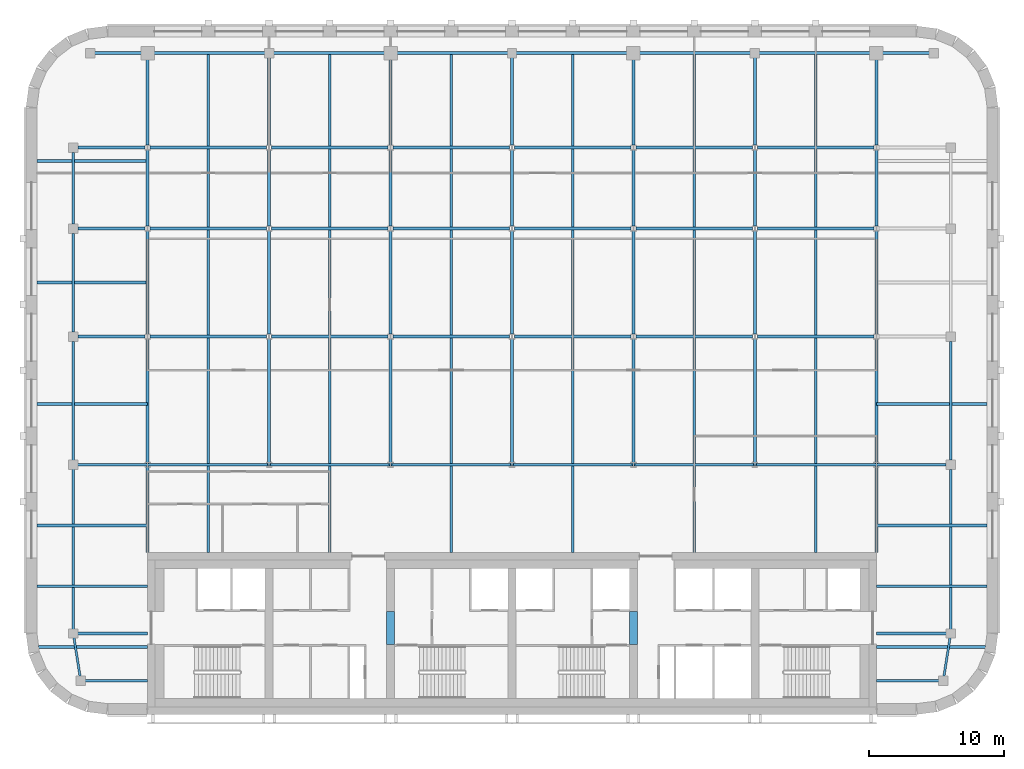
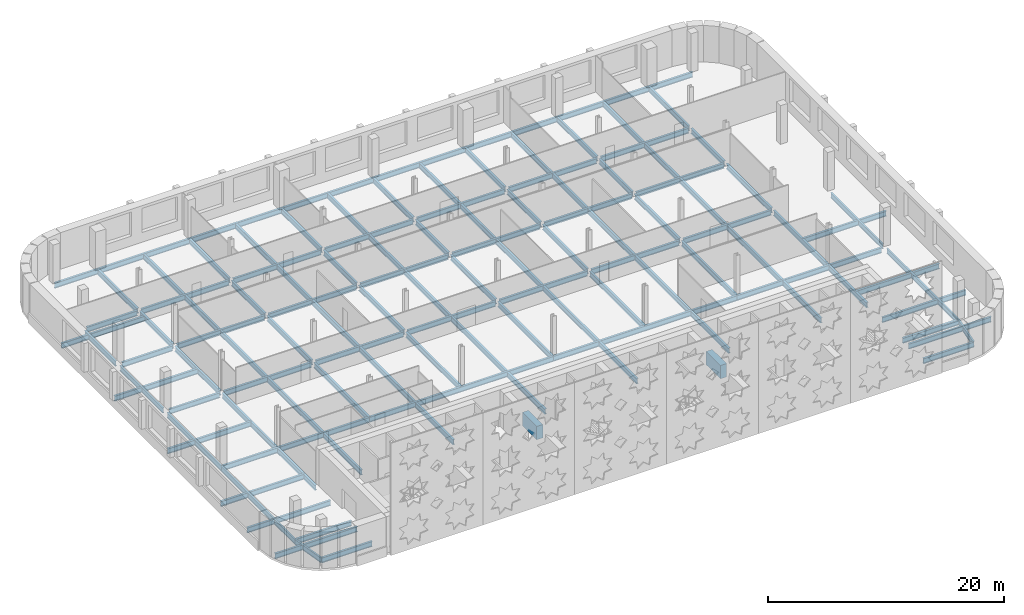
# One storey, part 5 of 15: 87 beams.
"""IFC4 building model written with IfcOpenShell, lengths in metres."""

from ifc_helpers import new_model, si_unit, direction, frame, origin, origin_2d, place, context, subcontext, project, spatial, rectangle, i_section, extrude, material, material_profile, profile_set, type_object, element, save


model = new_model("IFC4")

# Units and contexts
model_context = context("Model", 3, precision=1e-05, world=origin(), true_north=direction((0.0, 1.0)))
body_context = subcontext(model_context, "Body", "Model", "MODEL_VIEW")
ifc_project = project(units=[si_unit("LENGTHUNIT", "METRE"), si_unit("AREAUNIT", "SQUARE_METRE"), si_unit("VOLUMEUNIT", "CUBIC_METRE"), si_unit("PLANEANGLEUNIT", "RADIAN"), si_unit("MASSUNIT", "GRAM", prefix="KILO")], contexts=[model_context])

# Site, building, storey
site_placement = place(None, origin())
site = spatial("IfcSite", under=ifc_project, at=site_placement, CompositionType="ELEMENT")
building_placement = place(site_placement, origin())
building = spatial("IfcBuilding", under=site, at=building_placement, Name="Zellij Exchange Tower", CompositionType="ELEMENT")
storey_placement = place(building_placement, frame((0.0, 0.0, 276.5)))
storey = spatial("IfcBuildingStorey", under=building, at=storey_placement, Name="L65", CompositionType="ELEMENT", Elevation=276.5)

# Beams
ifc_material_1 = material(Name="Concrete C50/60", Category="concrete")
ifc_material_profile_1 = material_profile(ifc_material_1, rectangle(XDim=0.60009765625, YDim=1.3798828125, at=origin_2d()), Name="CORE-CB 600x1380 C50/60")
ifc_profile_set_1 = profile_set([ifc_material_profile_1], Name="Concrete C50/60")
beam_type_1 = type_object("IfcBeamType", Name="CORE-CB 600x1380 C50/60", PredefinedType="BEAM", material=ifc_profile_set_1)
for number, where, z_axis, x_axis, name in (
    (1, (-9.0, -8.800048828125, 3.090087890625), (0.0, 1.0, 0.0), (-1.0, 0.0, 0.0), "Core coupling beam x -9 L65"),
    (2, (9.0, -8.800048828125, 3.090087890625), (0.0, 1.0, 0.0), (-1.0, 0.0, 0.0), "Core coupling beam x 9 L65"),
):
    element("IfcBeam", number, at=place(storey_placement, frame(where, z_axis=z_axis, x_axis=x_axis)), inside=storey, type_object=beam_type_1, Name=name, PredefinedType="BEAM", context=body_context, shape_type="SweptSolid", body=[
        extrude(rectangle(XDim=0.60009765625, YDim=1.3798828125, at=origin_2d()), origin(), (0.0, 0.0, 1.0), 2.425048828125),
    ])
ifc_material_2 = material(Name="Structural steel ASTM A992 Gr 50", Category="steel")
ifc_material_profile_2 = material_profile(ifc_material_2, i_section(OverallWidth=0.209228515625, OverallDepth=0.533447265625, WebThickness=0.01025390625, FlangeThickness=0.015625, at=origin_2d()), Name="W21x62")
ifc_profile_set_2 = profile_set([ifc_material_profile_2], Name="Structural steel ASTM A992 Gr 50")
beam_type_2 = type_object("IfcBeamType", Name="STR-BEAM W21x62", PredefinedType="BEAM", material=ifc_profile_set_2)
for number, where, z_axis, x_axis, name in (
    (3, (-22.5, -2.0, -0.48681640625), (0.0, 1.0, 0.0), (-1.0, 0.0, 0.0), "B3"),
    (4, (-13.5, -2.0, -0.48681640625), (0.0, 1.0, 0.0), (-1.0, 0.0, 0.0), "B3"),
    (5, (-4.5, -2.0, -0.48681640625), (0.0, 1.0, 0.0), (-1.0, 0.0, 0.0), "B3"),
    (6, (4.5, -2.0, -0.48681640625), (0.0, 1.0, 0.0), (-1.0, 0.0, 0.0), "B3"),
    (7, (13.5, -2.0, -0.48681640625), (0.0, 1.0, 0.0), (-1.0, 0.0, 0.0), "B3"),
    (8, (22.5, -2.0, -0.48681640625), (0.0, 1.0, 0.0), (-1.0, 0.0, 0.0), "B3"),
):
    element("IfcBeam", number, at=place(storey_placement, frame(where, z_axis=z_axis, x_axis=x_axis)), inside=storey, type_object=beam_type_2, Name=name, PredefinedType="BEAM", context=body_context, shape_type="SweptSolid", body=[
        extrude(i_section(OverallWidth=0.209228515625, OverallDepth=0.533447265625, WebThickness=0.01025390625, FlangeThickness=0.015625, at=origin_2d()), origin(), (0.0, 0.0, 1.0), 37.1044921875),
    ])
beam_1_placement = place(storey_placement, frame((-35.06103515625, -9.0, -0.48681640625), z_axis=(1.0, 0.0, 0.0), x_axis=(0.0, 1.0, 0.0)))
element("IfcBeam", 9, at=beam_1_placement, inside=storey, type_object=beam_type_2, Name="B3", PredefinedType="BEAM", context=body_context, shape_type="SweptSolid", body=[
    extrude(i_section(OverallWidth=0.209228515625, OverallDepth=0.533447265625, WebThickness=0.01025390625, FlangeThickness=0.015625, at=origin_2d()), origin(), (0.0, 0.0, 1.0), 8.06103515625),
])
for number, where, z_axis, x_axis, name in (
    (10, (-35.199951171875, -4.5, -0.48681640625), (1.0, 0.0, 0.0), (0.0, 1.0, 0.0), "B3"),
    (11, (-35.199951171875, 0.0, -0.48681640625), (1.0, 0.0, 0.0), (0.0, 1.0, 0.0), "B3"),
    (12, (-35.199951171875, 9.0, -0.48681640625), (1.0, 0.0, 0.0), (0.0, 1.0, 0.0), "B3"),
    (13, (-35.199951171875, 18.0, -0.48681640625), (1.0, 0.0, 0.0), (0.0, 1.0, 0.0), "B3"),
    (14, (-35.199951171875, 27.0, -0.48681640625), (1.0, 0.0, 0.0), (0.0, 1.0, 0.0), "B3"),
):
    element("IfcBeam", number, at=place(storey_placement, frame(where, z_axis=z_axis, x_axis=x_axis)), inside=storey, type_object=beam_type_2, Name=name, PredefinedType="BEAM", context=body_context, shape_type="SweptSolid", body=[
        extrude(i_section(OverallWidth=0.209228515625, OverallDepth=0.533447265625, WebThickness=0.01025390625, FlangeThickness=0.015625, at=origin_2d()), origin(), (0.0, 0.0, 1.0), 8.199951171875),
    ])
beam_2_placement = place(storey_placement, frame((27.0, -9.0, -0.48681640625), z_axis=(1.0, 0.0, 0.0), x_axis=(0.0, 1.0, 0.0)))
element("IfcBeam", 15, at=beam_2_placement, inside=storey, type_object=beam_type_2, Name="B3", PredefinedType="BEAM", context=body_context, shape_type="SweptSolid", body=[
    extrude(i_section(OverallWidth=0.209228515625, OverallDepth=0.533447265625, WebThickness=0.01025390625, FlangeThickness=0.015625, at=origin_2d()), origin(), (0.0, 0.0, 1.0), 8.06103515625),
])
for number, where, z_axis, x_axis, name in (
    (16, (27.0, -4.5, -0.48681640625), (1.0, 0.0, 0.0), (0.0, 1.0, 0.0), "B3"),
    (17, (27.0, 0.0, -0.48681640625), (1.0, 0.0, 0.0), (0.0, 1.0, 0.0), "B3"),
    (18, (27.0, 9.0, -0.48681640625), (1.0, 0.0, 0.0), (0.0, 1.0, 0.0), "B3"),
):
    element("IfcBeam", number, at=place(storey_placement, frame(where, z_axis=z_axis, x_axis=x_axis)), inside=storey, type_object=beam_type_2, Name=name, PredefinedType="BEAM", context=body_context, shape_type="SweptSolid", body=[
        extrude(i_section(OverallWidth=0.209228515625, OverallDepth=0.533447265625, WebThickness=0.01025390625, FlangeThickness=0.015625, at=origin_2d()), origin(), (0.0, 0.0, 1.0), 8.199951171875),
    ])
ifc_material_profile_3 = material_profile(ifc_material_2, i_section(OverallWidth=0.1650390625, OverallDepth=0.52587890625, WebThickness=0.0087890625, FlangeThickness=0.011474609375, at=origin_2d()), Name="W21x44")
ifc_profile_set_3 = profile_set([ifc_material_profile_3], Name="Structural steel ASTM A992 Gr 50")
beam_type_3 = type_object("IfcBeamType", Name="STR-EDGE GIRDER W21x44", PredefinedType="BEAM", material=ifc_profile_set_3)
beam_3_placement = place(storey_placement, frame((-31.949951171875, -11.5, -0.48291015625), z_axis=(-0.155251283593, 0.987875011802, 0.0), x_axis=(-0.987875011802, -0.155251283593, 0.0)))
element("IfcBeam", 19, at=beam_3_placement, inside=storey, type_object=beam_type_3, Name="EB2", PredefinedType="BEAM", context=body_context, shape_type="SweptSolid", body=[
    extrude(i_section(OverallWidth=0.1650390625, OverallDepth=0.52587890625, WebThickness=0.0087890625, FlangeThickness=0.011474609375, at=origin_2d()), origin(), (0.0, 0.0, 1.0), 3.54296875),
])
beam_4_placement = place(storey_placement, frame((-32.5, -8.0, -0.48291015625), z_axis=(0.0, 1.0, 0.0), x_axis=(-1.0, 0.0, 0.0)))
element("IfcBeam", 20, at=beam_4_placement, inside=storey, type_object=beam_type_3, Name="EB2", PredefinedType="BEAM", context=body_context, shape_type="SweptSolid", body=[
    extrude(i_section(OverallWidth=0.1650390625, OverallDepth=0.52587890625, WebThickness=0.0087890625, FlangeThickness=0.011474609375, at=origin_2d()), origin(), (0.0, 0.0, 1.0), 12.5),
])
beam_5_placement = place(storey_placement, frame((-32.5, 4.5, -0.48291015625), z_axis=(0.0, 1.0, 0.0), x_axis=(-1.0, 0.0, 0.0)))
element("IfcBeam", 21, at=beam_5_placement, inside=storey, type_object=beam_type_3, Name="EB2", PredefinedType="BEAM", context=body_context, shape_type="SweptSolid", body=[
    extrude(i_section(OverallWidth=0.1650390625, OverallDepth=0.52587890625, WebThickness=0.0087890625, FlangeThickness=0.011474609375, at=origin_2d()), origin(), (0.0, 0.0, 1.0), 9.14990234375),
])
beam_6_placement = place(storey_placement, frame((-32.5, 14.35009765625, -0.48291015625), z_axis=(0.0, 1.0, 0.0), x_axis=(-1.0, 0.0, 0.0)))
element("IfcBeam", 22, at=beam_6_placement, inside=storey, type_object=beam_type_3, Name="EB2", PredefinedType="BEAM", context=body_context, shape_type="SweptSolid", body=[
    extrude(i_section(OverallWidth=0.1650390625, OverallDepth=0.52587890625, WebThickness=0.0087890625, FlangeThickness=0.011474609375, at=origin_2d()), origin(), (0.0, 0.0, 1.0), 7.2998046875),
])
beam_7_placement = place(storey_placement, frame((-32.5, 22.35009765625, -0.48291015625), z_axis=(0.0, 1.0, 0.0), x_axis=(-1.0, 0.0, 0.0)))
element("IfcBeam", 23, at=beam_7_placement, inside=storey, type_object=beam_type_3, Name="EB2", PredefinedType="BEAM", context=body_context, shape_type="SweptSolid", body=[
    extrude(i_section(OverallWidth=0.1650390625, OverallDepth=0.52587890625, WebThickness=0.0087890625, FlangeThickness=0.011474609375, at=origin_2d()), origin(), (0.0, 0.0, 1.0), 5.2998046875),
])
beam_8_placement = place(storey_placement, frame((31.949951171875, -11.5, -0.48291015625), z_axis=(0.155251283593, 0.987875011802, 0.0), x_axis=(-0.987875011802, 0.155251283593, 0.0)))
element("IfcBeam", 24, at=beam_8_placement, inside=storey, type_object=beam_type_3, Name="EB2", PredefinedType="BEAM", context=body_context, shape_type="SweptSolid", body=[
    extrude(i_section(OverallWidth=0.1650390625, OverallDepth=0.52587890625, WebThickness=0.0087890625, FlangeThickness=0.011474609375, at=origin_2d()), origin(), (0.0, 0.0, 1.0), 3.54296875),
])
beam_9_placement = place(storey_placement, frame((32.5, -8.0, -0.48291015625), z_axis=(0.0, 1.0, 0.0), x_axis=(-1.0, 0.0, 0.0)))
element("IfcBeam", 25, at=beam_9_placement, inside=storey, type_object=beam_type_3, Name="EB2", PredefinedType="BEAM", context=body_context, shape_type="SweptSolid", body=[
    extrude(i_section(OverallWidth=0.1650390625, OverallDepth=0.52587890625, WebThickness=0.0087890625, FlangeThickness=0.011474609375, at=origin_2d()), origin(), (0.0, 0.0, 1.0), 12.14990234375),
])
beam_10_placement = place(storey_placement, frame((32.5, 4.85009765625, -0.48291015625), z_axis=(0.0, 1.0, 0.0), x_axis=(-1.0, 0.0, 0.0)))
element("IfcBeam", 26, at=beam_10_placement, inside=storey, type_object=beam_type_3, Name="EB2", PredefinedType="BEAM", context=body_context, shape_type="SweptSolid", body=[
    extrude(i_section(OverallWidth=0.1650390625, OverallDepth=0.52587890625, WebThickness=0.0087890625, FlangeThickness=0.011474609375, at=origin_2d()), origin(), (0.0, 0.0, 1.0), 8.7998046875),
])
ifc_material_profile_4 = material_profile(ifc_material_2, i_section(OverallWidth=0.209228515625, OverallDepth=0.533447265625, WebThickness=0.01025390625, FlangeThickness=0.015625, at=origin_2d()), Name="W21x62")
ifc_profile_set_4 = profile_set([ifc_material_profile_4], Name="Structural steel ASTM A992 Gr 50")
beam_type_4 = type_object("IfcBeamType", Name="STR-GIRDER W21x62", PredefinedType="BEAM", material=ifc_profile_set_4)
for number, where, z_axis, x_axis, name in (
    (27, (-31.949951171875, -11.5, -0.48681640625), (1.0, 0.0, 0.0), (0.0, 1.0, 0.0), "G1"),
    (28, (27.0, -11.5, -0.48681640625), (1.0, 0.0, 0.0), (0.0, 1.0, 0.0), "G1"),
):
    element("IfcBeam", number, at=place(storey_placement, frame(where, z_axis=z_axis, x_axis=x_axis)), inside=storey, type_object=beam_type_4, Name=name, PredefinedType="BEAM", context=body_context, shape_type="SweptSolid", body=[
        extrude(i_section(OverallWidth=0.209228515625, OverallDepth=0.533447265625, WebThickness=0.01025390625, FlangeThickness=0.015625, at=origin_2d()), origin(), (0.0, 0.0, 1.0), 4.949951171875),
    ])
for number, where, z_axis, x_axis, name in (
    (29, (-32.5, -8.0, -0.48681640625), (1.0, 0.0, 0.0), (0.0, 1.0, 0.0), "G1"),
    (30, (27.0, -8.0, -0.48681640625), (1.0, 0.0, 0.0), (0.0, 1.0, 0.0), "G1"),
):
    element("IfcBeam", number, at=place(storey_placement, frame(where, z_axis=z_axis, x_axis=x_axis)), inside=storey, type_object=beam_type_4, Name=name, PredefinedType="BEAM", context=body_context, shape_type="SweptSolid", body=[
        extrude(i_section(OverallWidth=0.209228515625, OverallDepth=0.533447265625, WebThickness=0.01025390625, FlangeThickness=0.015625, at=origin_2d()), origin(), (0.0, 0.0, 1.0), 5.5),
    ])
beam_11_placement = place(storey_placement, frame((-32.5, 4.5, -0.48681640625), z_axis=(1.0, 0.0, 0.0), x_axis=(0.0, 1.0, 0.0)))
element("IfcBeam", 31, at=beam_11_placement, inside=storey, type_object=beam_type_4, Name="G1", PredefinedType="BEAM", context=body_context, shape_type="SweptSolid", body=[
    extrude(i_section(OverallWidth=0.209228515625, OverallDepth=0.533447265625, WebThickness=0.01025390625, FlangeThickness=0.015625, at=origin_2d()), origin(), (0.0, 0.0, 1.0), 14.5),
])
for number, where, z_axis, x_axis, name in (
    (32, (-18.0, 4.5, -0.48681640625), (1.0, 0.0, 0.0), (0.0, 1.0, 0.0), "G1"),
    (33, (0.0, 4.5, -0.48681640625), (1.0, 0.0, 0.0), (0.0, 1.0, 0.0), "G1"),
):
    element("IfcBeam", number, at=place(storey_placement, frame(where, z_axis=z_axis, x_axis=x_axis)), inside=storey, type_object=beam_type_4, Name=name, PredefinedType="BEAM", context=body_context, shape_type="SweptSolid", body=[
        extrude(i_section(OverallWidth=0.209228515625, OverallDepth=0.533447265625, WebThickness=0.01025390625, FlangeThickness=0.015625, at=origin_2d()), origin(), (0.0, 0.0, 1.0), 18.0),
    ])
beam_12_placement = place(storey_placement, frame((18.0, 4.5, -0.48681640625), z_axis=(1.0, 0.0, 0.0), x_axis=(0.0, 1.0, 0.0)))
element("IfcBeam", 34, at=beam_12_placement, inside=storey, type_object=beam_type_4, Name="G1", PredefinedType="BEAM", context=body_context, shape_type="SweptSolid", body=[
    extrude(i_section(OverallWidth=0.209228515625, OverallDepth=0.533447265625, WebThickness=0.01025390625, FlangeThickness=0.015625, at=origin_2d()), origin(), (0.0, 0.0, 1.0), 14.14990234375),
])
beam_13_placement = place(storey_placement, frame((-32.14990234375, 14.0, -0.48681640625), z_axis=(1.0, 0.0, 0.0), x_axis=(0.0, 1.0, 0.0)))
element("IfcBeam", 35, at=beam_13_placement, inside=storey, type_object=beam_type_4, Name="G1", PredefinedType="BEAM", context=body_context, shape_type="SweptSolid", body=[
    extrude(i_section(OverallWidth=0.209228515625, OverallDepth=0.533447265625, WebThickness=0.01025390625, FlangeThickness=0.015625, at=origin_2d()), origin(), (0.0, 0.0, 1.0), 4.963134765625),
])
for number, where, z_axis, x_axis, name in (
    (36, (-26.813232421875, 14.0, -0.48681640625), (1.0, 0.0, 0.0), (0.0, 1.0, 0.0), "G1"),
    (37, (-17.813232421875, 14.0, -0.48681640625), (1.0, 0.0, 0.0), (0.0, 1.0, 0.0), "G1"),
    (38, (-8.813232421875, 14.0, -0.48681640625), (1.0, 0.0, 0.0), (0.0, 1.0, 0.0), "G1"),
    (39, (0.186767578125, 14.0, -0.48681640625), (1.0, 0.0, 0.0), (0.0, 1.0, 0.0), "G1"),
    (40, (9.186767578125, 14.0, -0.48681640625), (1.0, 0.0, 0.0), (0.0, 1.0, 0.0), "G1"),
    (41, (18.186767578125, 14.0, -0.48681640625), (1.0, 0.0, 0.0), (0.0, 1.0, 0.0), "G1"),
):
    element("IfcBeam", number, at=place(storey_placement, frame(where, z_axis=z_axis, x_axis=x_axis)), inside=storey, type_object=beam_type_4, Name=name, PredefinedType="BEAM", context=body_context, shape_type="SweptSolid", body=[
        extrude(i_section(OverallWidth=0.209228515625, OverallDepth=0.533447265625, WebThickness=0.01025390625, FlangeThickness=0.015625, at=origin_2d()), origin(), (0.0, 0.0, 1.0), 8.62646484375),
    ])
beam_14_placement = place(storey_placement, frame((-32.14990234375, 22.0, -0.48681640625), z_axis=(1.0, 0.0, 0.0), x_axis=(0.0, 1.0, 0.0)))
element("IfcBeam", 42, at=beam_14_placement, inside=storey, type_object=beam_type_4, Name="G1", PredefinedType="BEAM", context=body_context, shape_type="SweptSolid", body=[
    extrude(i_section(OverallWidth=0.209228515625, OverallDepth=0.533447265625, WebThickness=0.01025390625, FlangeThickness=0.015625, at=origin_2d()), origin(), (0.0, 0.0, 1.0), 4.963134765625),
])
for number, where, z_axis, x_axis, name in (
    (43, (-26.813232421875, 22.0, -0.48681640625), (1.0, 0.0, 0.0), (0.0, 1.0, 0.0), "G1"),
    (44, (-17.813232421875, 22.0, -0.48681640625), (1.0, 0.0, 0.0), (0.0, 1.0, 0.0), "G1"),
    (45, (-8.813232421875, 22.0, -0.48681640625), (1.0, 0.0, 0.0), (0.0, 1.0, 0.0), "G1"),
    (46, (0.186767578125, 22.0, -0.48681640625), (1.0, 0.0, 0.0), (0.0, 1.0, 0.0), "G1"),
    (47, (9.186767578125, 22.0, -0.48681640625), (1.0, 0.0, 0.0), (0.0, 1.0, 0.0), "G1"),
    (48, (18.186767578125, 22.0, -0.48681640625), (1.0, 0.0, 0.0), (0.0, 1.0, 0.0), "G1"),
):
    element("IfcBeam", number, at=place(storey_placement, frame(where, z_axis=z_axis, x_axis=x_axis)), inside=storey, type_object=beam_type_4, Name=name, PredefinedType="BEAM", context=body_context, shape_type="SweptSolid", body=[
        extrude(i_section(OverallWidth=0.209228515625, OverallDepth=0.533447265625, WebThickness=0.01025390625, FlangeThickness=0.015625, at=origin_2d()), origin(), (0.0, 0.0, 1.0), 8.62646484375),
    ])
beam_15_placement = place(storey_placement, frame((-32.14990234375, 28.0, -0.48681640625), z_axis=(1.0, 0.0, 0.0), x_axis=(0.0, 1.0, 0.0)))
element("IfcBeam", 49, at=beam_15_placement, inside=storey, type_object=beam_type_4, Name="G1", PredefinedType="BEAM", context=body_context, shape_type="SweptSolid", body=[
    extrude(i_section(OverallWidth=0.209228515625, OverallDepth=0.533447265625, WebThickness=0.01025390625, FlangeThickness=0.015625, at=origin_2d()), origin(), (0.0, 0.0, 1.0), 4.963134765625),
])
for number, where, z_axis, x_axis, name in (
    (50, (-26.813232421875, 28.0, -0.48681640625), (1.0, 0.0, 0.0), (0.0, 1.0, 0.0), "G1"),
    (51, (-17.813232421875, 28.0, -0.48681640625), (1.0, 0.0, 0.0), (0.0, 1.0, 0.0), "G1"),
    (52, (-8.813232421875, 28.0, -0.48681640625), (1.0, 0.0, 0.0), (0.0, 1.0, 0.0), "G1"),
    (53, (0.186767578125, 28.0, -0.48681640625), (1.0, 0.0, 0.0), (0.0, 1.0, 0.0), "G1"),
    (54, (9.186767578125, 28.0, -0.48681640625), (1.0, 0.0, 0.0), (0.0, 1.0, 0.0), "G1"),
    (55, (18.186767578125, 28.0, -0.48681640625), (1.0, 0.0, 0.0), (0.0, 1.0, 0.0), "G1"),
):
    element("IfcBeam", number, at=place(storey_placement, frame(where, z_axis=z_axis, x_axis=x_axis)), inside=storey, type_object=beam_type_4, Name=name, PredefinedType="BEAM", context=body_context, shape_type="SweptSolid", body=[
        extrude(i_section(OverallWidth=0.209228515625, OverallDepth=0.533447265625, WebThickness=0.01025390625, FlangeThickness=0.015625, at=origin_2d()), origin(), (0.0, 0.0, 1.0), 8.62646484375),
    ])
beam_16_placement = place(storey_placement, frame((-31.25, 35.0, -0.48681640625), z_axis=(1.0, 0.0, 0.0), x_axis=(0.0, 1.0, 0.0)))
element("IfcBeam", 56, at=beam_16_placement, inside=storey, type_object=beam_type_4, Name="G1", PredefinedType="BEAM", context=body_context, shape_type="SweptSolid", body=[
    extrude(i_section(OverallWidth=0.209228515625, OverallDepth=0.533447265625, WebThickness=0.01025390625, FlangeThickness=0.015625, at=origin_2d()), origin(), (0.0, 0.0, 1.0), 13.25),
])
for number, where, z_axis, x_axis, name in (
    (57, (-18.0, 35.0, -0.48681640625), (1.0, 0.0, 0.0), (0.0, 1.0, 0.0), "G1"),
    (58, (0.0, 35.0, -0.48681640625), (1.0, 0.0, 0.0), (0.0, 1.0, 0.0), "G1"),
):
    element("IfcBeam", number, at=place(storey_placement, frame(where, z_axis=z_axis, x_axis=x_axis)), inside=storey, type_object=beam_type_4, Name=name, PredefinedType="BEAM", context=body_context, shape_type="SweptSolid", body=[
        extrude(i_section(OverallWidth=0.209228515625, OverallDepth=0.533447265625, WebThickness=0.01025390625, FlangeThickness=0.015625, at=origin_2d()), origin(), (0.0, 0.0, 1.0), 18.0),
    ])
beam_17_placement = place(storey_placement, frame((18.0, 35.0, -0.48681640625), z_axis=(1.0, 0.0, 0.0), x_axis=(0.0, 1.0, 0.0)))
element("IfcBeam", 59, at=beam_17_placement, inside=storey, type_object=beam_type_4, Name="G1", PredefinedType="BEAM", context=body_context, shape_type="SweptSolid", body=[
    extrude(i_section(OverallWidth=0.209228515625, OverallDepth=0.533447265625, WebThickness=0.01025390625, FlangeThickness=0.015625, at=origin_2d()), origin(), (0.0, 0.0, 1.0), 13.25),
])
beam_18_placement = place(storey_placement, frame((-27.0, -2.0, -0.48681640625), z_axis=(0.0, 1.0, 0.0), x_axis=(-1.0, 0.0, 0.0)))
element("IfcBeam", 60, at=beam_18_placement, inside=storey, type_object=beam_type_4, Name="G1", PredefinedType="BEAM", context=body_context, shape_type="SweptSolid", body=[
    extrude(i_section(OverallWidth=0.209228515625, OverallDepth=0.533447265625, WebThickness=0.01025390625, FlangeThickness=0.015625, at=origin_2d()), origin(), (0.0, 0.0, 1.0), 15.813232421875),
])
beam_19_placement = place(storey_placement, frame((-27.0, 14.186767578125, -0.48681640625), z_axis=(0.0, 1.0, 0.0), x_axis=(-1.0, 0.0, 0.0)))
element("IfcBeam", 61, at=beam_19_placement, inside=storey, type_object=beam_type_4, Name="G1", PredefinedType="BEAM", context=body_context, shape_type="SweptSolid", body=[
    extrude(i_section(OverallWidth=0.209228515625, OverallDepth=0.533447265625, WebThickness=0.01025390625, FlangeThickness=0.015625, at=origin_2d()), origin(), (0.0, 0.0, 1.0), 7.62646484375),
])
beam_20_placement = place(storey_placement, frame((-27.0, 22.186767578125, -0.48681640625), z_axis=(0.0, 1.0, 0.0), x_axis=(-1.0, 0.0, 0.0)))
element("IfcBeam", 62, at=beam_20_placement, inside=storey, type_object=beam_type_4, Name="G1", PredefinedType="BEAM", context=body_context, shape_type="SweptSolid", body=[
    extrude(i_section(OverallWidth=0.209228515625, OverallDepth=0.533447265625, WebThickness=0.01025390625, FlangeThickness=0.015625, at=origin_2d()), origin(), (0.0, 0.0, 1.0), 5.62646484375),
])
beam_21_placement = place(storey_placement, frame((-27.0, 28.186767578125, -0.48681640625), z_axis=(0.0, 1.0, 0.0), x_axis=(-1.0, 0.0, 0.0)))
element("IfcBeam", 63, at=beam_21_placement, inside=storey, type_object=beam_type_4, Name="G1", PredefinedType="BEAM", context=body_context, shape_type="SweptSolid", body=[
    extrude(i_section(OverallWidth=0.209228515625, OverallDepth=0.533447265625, WebThickness=0.01025390625, FlangeThickness=0.015625, at=origin_2d()), origin(), (0.0, 0.0, 1.0), 6.813232421875),
])
beam_22_placement = place(storey_placement, frame((-18.0, 4.5, -0.48681640625), z_axis=(0.0, 1.0, 0.0), x_axis=(-1.0, 0.0, 0.0)))
element("IfcBeam", 64, at=beam_22_placement, inside=storey, type_object=beam_type_4, Name="G1", PredefinedType="BEAM", context=body_context, shape_type="SweptSolid", body=[
    extrude(i_section(OverallWidth=0.209228515625, OverallDepth=0.533447265625, WebThickness=0.01025390625, FlangeThickness=0.015625, at=origin_2d()), origin(), (0.0, 0.0, 1.0), 9.313232421875),
])
beam_23_placement = place(storey_placement, frame((-18.0, 14.186767578125, -0.48681640625), z_axis=(0.0, 1.0, 0.0), x_axis=(-1.0, 0.0, 0.0)))
element("IfcBeam", 65, at=beam_23_placement, inside=storey, type_object=beam_type_4, Name="G1", PredefinedType="BEAM", context=body_context, shape_type="SweptSolid", body=[
    extrude(i_section(OverallWidth=0.209228515625, OverallDepth=0.533447265625, WebThickness=0.01025390625, FlangeThickness=0.015625, at=origin_2d()), origin(), (0.0, 0.0, 1.0), 7.62646484375),
])
beam_24_placement = place(storey_placement, frame((-18.0, 22.186767578125, -0.48681640625), z_axis=(0.0, 1.0, 0.0), x_axis=(-1.0, 0.0, 0.0)))
element("IfcBeam", 66, at=beam_24_placement, inside=storey, type_object=beam_type_4, Name="G1", PredefinedType="BEAM", context=body_context, shape_type="SweptSolid", body=[
    extrude(i_section(OverallWidth=0.209228515625, OverallDepth=0.533447265625, WebThickness=0.01025390625, FlangeThickness=0.015625, at=origin_2d()), origin(), (0.0, 0.0, 1.0), 5.62646484375),
])
beam_25_placement = place(storey_placement, frame((-18.0, 28.186767578125, -0.48681640625), z_axis=(0.0, 1.0, 0.0), x_axis=(-1.0, 0.0, 0.0)))
element("IfcBeam", 67, at=beam_25_placement, inside=storey, type_object=beam_type_4, Name="G1", PredefinedType="BEAM", context=body_context, shape_type="SweptSolid", body=[
    extrude(i_section(OverallWidth=0.209228515625, OverallDepth=0.533447265625, WebThickness=0.01025390625, FlangeThickness=0.015625, at=origin_2d()), origin(), (0.0, 0.0, 1.0), 6.813232421875),
])
beam_26_placement = place(storey_placement, frame((-9.0, 4.5, -0.48681640625), z_axis=(0.0, 1.0, 0.0), x_axis=(-1.0, 0.0, 0.0)))
element("IfcBeam", 68, at=beam_26_placement, inside=storey, type_object=beam_type_4, Name="G1", PredefinedType="BEAM", context=body_context, shape_type="SweptSolid", body=[
    extrude(i_section(OverallWidth=0.209228515625, OverallDepth=0.533447265625, WebThickness=0.01025390625, FlangeThickness=0.015625, at=origin_2d()), origin(), (0.0, 0.0, 1.0), 9.313232421875),
])
beam_27_placement = place(storey_placement, frame((-9.0, 14.186767578125, -0.48681640625), z_axis=(0.0, 1.0, 0.0), x_axis=(-1.0, 0.0, 0.0)))
element("IfcBeam", 69, at=beam_27_placement, inside=storey, type_object=beam_type_4, Name="G1", PredefinedType="BEAM", context=body_context, shape_type="SweptSolid", body=[
    extrude(i_section(OverallWidth=0.209228515625, OverallDepth=0.533447265625, WebThickness=0.01025390625, FlangeThickness=0.015625, at=origin_2d()), origin(), (0.0, 0.0, 1.0), 7.62646484375),
])
beam_28_placement = place(storey_placement, frame((-9.0, 22.186767578125, -0.48681640625), z_axis=(0.0, 1.0, 0.0), x_axis=(-1.0, 0.0, 0.0)))
element("IfcBeam", 70, at=beam_28_placement, inside=storey, type_object=beam_type_4, Name="G1", PredefinedType="BEAM", context=body_context, shape_type="SweptSolid", body=[
    extrude(i_section(OverallWidth=0.209228515625, OverallDepth=0.533447265625, WebThickness=0.01025390625, FlangeThickness=0.015625, at=origin_2d()), origin(), (0.0, 0.0, 1.0), 5.62646484375),
])
beam_29_placement = place(storey_placement, frame((-9.0, 28.186767578125, -0.48681640625), z_axis=(0.0, 1.0, 0.0), x_axis=(-1.0, 0.0, 0.0)))
element("IfcBeam", 71, at=beam_29_placement, inside=storey, type_object=beam_type_4, Name="G1", PredefinedType="BEAM", context=body_context, shape_type="SweptSolid", body=[
    extrude(i_section(OverallWidth=0.209228515625, OverallDepth=0.533447265625, WebThickness=0.01025390625, FlangeThickness=0.015625, at=origin_2d()), origin(), (0.0, 0.0, 1.0), 6.813232421875),
])
beam_30_placement = place(storey_placement, frame((0.0, 4.5, -0.48681640625), z_axis=(0.0, 1.0, 0.0), x_axis=(-1.0, 0.0, 0.0)))
element("IfcBeam", 72, at=beam_30_placement, inside=storey, type_object=beam_type_4, Name="G1", PredefinedType="BEAM", context=body_context, shape_type="SweptSolid", body=[
    extrude(i_section(OverallWidth=0.209228515625, OverallDepth=0.533447265625, WebThickness=0.01025390625, FlangeThickness=0.015625, at=origin_2d()), origin(), (0.0, 0.0, 1.0), 9.313232421875),
])
beam_31_placement = place(storey_placement, frame((0.0, 14.186767578125, -0.48681640625), z_axis=(0.0, 1.0, 0.0), x_axis=(-1.0, 0.0, 0.0)))
element("IfcBeam", 73, at=beam_31_placement, inside=storey, type_object=beam_type_4, Name="G1", PredefinedType="BEAM", context=body_context, shape_type="SweptSolid", body=[
    extrude(i_section(OverallWidth=0.209228515625, OverallDepth=0.533447265625, WebThickness=0.01025390625, FlangeThickness=0.015625, at=origin_2d()), origin(), (0.0, 0.0, 1.0), 7.62646484375),
])
beam_32_placement = place(storey_placement, frame((0.0, 22.186767578125, -0.48681640625), z_axis=(0.0, 1.0, 0.0), x_axis=(-1.0, 0.0, 0.0)))
element("IfcBeam", 74, at=beam_32_placement, inside=storey, type_object=beam_type_4, Name="G1", PredefinedType="BEAM", context=body_context, shape_type="SweptSolid", body=[
    extrude(i_section(OverallWidth=0.209228515625, OverallDepth=0.533447265625, WebThickness=0.01025390625, FlangeThickness=0.015625, at=origin_2d()), origin(), (0.0, 0.0, 1.0), 5.62646484375),
])
beam_33_placement = place(storey_placement, frame((0.0, 28.186767578125, -0.48681640625), z_axis=(0.0, 1.0, 0.0), x_axis=(-1.0, 0.0, 0.0)))
element("IfcBeam", 75, at=beam_33_placement, inside=storey, type_object=beam_type_4, Name="G1", PredefinedType="BEAM", context=body_context, shape_type="SweptSolid", body=[
    extrude(i_section(OverallWidth=0.209228515625, OverallDepth=0.533447265625, WebThickness=0.01025390625, FlangeThickness=0.015625, at=origin_2d()), origin(), (0.0, 0.0, 1.0), 6.813232421875),
])
beam_34_placement = place(storey_placement, frame((9.0, 4.5, -0.48681640625), z_axis=(0.0, 1.0, 0.0), x_axis=(-1.0, 0.0, 0.0)))
element("IfcBeam", 76, at=beam_34_placement, inside=storey, type_object=beam_type_4, Name="G1", PredefinedType="BEAM", context=body_context, shape_type="SweptSolid", body=[
    extrude(i_section(OverallWidth=0.209228515625, OverallDepth=0.533447265625, WebThickness=0.01025390625, FlangeThickness=0.015625, at=origin_2d()), origin(), (0.0, 0.0, 1.0), 9.313232421875),
])
beam_35_placement = place(storey_placement, frame((9.0, 14.186767578125, -0.48681640625), z_axis=(0.0, 1.0, 0.0), x_axis=(-1.0, 0.0, 0.0)))
element("IfcBeam", 77, at=beam_35_placement, inside=storey, type_object=beam_type_4, Name="G1", PredefinedType="BEAM", context=body_context, shape_type="SweptSolid", body=[
    extrude(i_section(OverallWidth=0.209228515625, OverallDepth=0.533447265625, WebThickness=0.01025390625, FlangeThickness=0.015625, at=origin_2d()), origin(), (0.0, 0.0, 1.0), 7.62646484375),
])
beam_36_placement = place(storey_placement, frame((9.0, 22.186767578125, -0.48681640625), z_axis=(0.0, 1.0, 0.0), x_axis=(-1.0, 0.0, 0.0)))
element("IfcBeam", 78, at=beam_36_placement, inside=storey, type_object=beam_type_4, Name="G1", PredefinedType="BEAM", context=body_context, shape_type="SweptSolid", body=[
    extrude(i_section(OverallWidth=0.209228515625, OverallDepth=0.533447265625, WebThickness=0.01025390625, FlangeThickness=0.015625, at=origin_2d()), origin(), (0.0, 0.0, 1.0), 5.62646484375),
])
beam_37_placement = place(storey_placement, frame((9.0, 28.186767578125, -0.48681640625), z_axis=(0.0, 1.0, 0.0), x_axis=(-1.0, 0.0, 0.0)))
element("IfcBeam", 79, at=beam_37_placement, inside=storey, type_object=beam_type_4, Name="G1", PredefinedType="BEAM", context=body_context, shape_type="SweptSolid", body=[
    extrude(i_section(OverallWidth=0.209228515625, OverallDepth=0.533447265625, WebThickness=0.01025390625, FlangeThickness=0.015625, at=origin_2d()), origin(), (0.0, 0.0, 1.0), 6.813232421875),
])
beam_38_placement = place(storey_placement, frame((18.0, 4.5, -0.48681640625), z_axis=(0.0, 1.0, 0.0), x_axis=(-1.0, 0.0, 0.0)))
element("IfcBeam", 80, at=beam_38_placement, inside=storey, type_object=beam_type_4, Name="G1", PredefinedType="BEAM", context=body_context, shape_type="SweptSolid", body=[
    extrude(i_section(OverallWidth=0.209228515625, OverallDepth=0.533447265625, WebThickness=0.01025390625, FlangeThickness=0.015625, at=origin_2d()), origin(), (0.0, 0.0, 1.0), 9.313232421875),
])
beam_39_placement = place(storey_placement, frame((18.0, 14.186767578125, -0.48681640625), z_axis=(0.0, 1.0, 0.0), x_axis=(-1.0, 0.0, 0.0)))
element("IfcBeam", 81, at=beam_39_placement, inside=storey, type_object=beam_type_4, Name="G1", PredefinedType="BEAM", context=body_context, shape_type="SweptSolid", body=[
    extrude(i_section(OverallWidth=0.209228515625, OverallDepth=0.533447265625, WebThickness=0.01025390625, FlangeThickness=0.015625, at=origin_2d()), origin(), (0.0, 0.0, 1.0), 7.62646484375),
])
beam_40_placement = place(storey_placement, frame((18.0, 22.186767578125, -0.48681640625), z_axis=(0.0, 1.0, 0.0), x_axis=(-1.0, 0.0, 0.0)))
element("IfcBeam", 82, at=beam_40_placement, inside=storey, type_object=beam_type_4, Name="G1", PredefinedType="BEAM", context=body_context, shape_type="SweptSolid", body=[
    extrude(i_section(OverallWidth=0.209228515625, OverallDepth=0.533447265625, WebThickness=0.01025390625, FlangeThickness=0.015625, at=origin_2d()), origin(), (0.0, 0.0, 1.0), 5.62646484375),
])
beam_41_placement = place(storey_placement, frame((18.0, 28.186767578125, -0.48681640625), z_axis=(0.0, 1.0, 0.0), x_axis=(-1.0, 0.0, 0.0)))
element("IfcBeam", 83, at=beam_41_placement, inside=storey, type_object=beam_type_4, Name="G1", PredefinedType="BEAM", context=body_context, shape_type="SweptSolid", body=[
    extrude(i_section(OverallWidth=0.209228515625, OverallDepth=0.533447265625, WebThickness=0.01025390625, FlangeThickness=0.015625, at=origin_2d()), origin(), (0.0, 0.0, 1.0), 6.813232421875),
])
beam_42_placement = place(storey_placement, frame((27.0, -2.0, -0.48681640625), z_axis=(0.0, 1.0, 0.0), x_axis=(-1.0, 0.0, 0.0)))
element("IfcBeam", 84, at=beam_42_placement, inside=storey, type_object=beam_type_4, Name="G1", PredefinedType="BEAM", context=body_context, shape_type="SweptSolid", body=[
    extrude(i_section(OverallWidth=0.209228515625, OverallDepth=0.533447265625, WebThickness=0.01025390625, FlangeThickness=0.015625, at=origin_2d()), origin(), (0.0, 0.0, 1.0), 15.813232421875),
])
beam_43_placement = place(storey_placement, frame((27.0, 14.186767578125, -0.48681640625), z_axis=(0.0, 1.0, 0.0), x_axis=(-1.0, 0.0, 0.0)))
element("IfcBeam", 85, at=beam_43_placement, inside=storey, type_object=beam_type_4, Name="G1", PredefinedType="BEAM", context=body_context, shape_type="SweptSolid", body=[
    extrude(i_section(OverallWidth=0.209228515625, OverallDepth=0.533447265625, WebThickness=0.01025390625, FlangeThickness=0.015625, at=origin_2d()), origin(), (0.0, 0.0, 1.0), 7.62646484375),
])
beam_44_placement = place(storey_placement, frame((27.0, 22.186767578125, -0.48681640625), z_axis=(0.0, 1.0, 0.0), x_axis=(-1.0, 0.0, 0.0)))
element("IfcBeam", 86, at=beam_44_placement, inside=storey, type_object=beam_type_4, Name="G1", PredefinedType="BEAM", context=body_context, shape_type="SweptSolid", body=[
    extrude(i_section(OverallWidth=0.209228515625, OverallDepth=0.533447265625, WebThickness=0.01025390625, FlangeThickness=0.015625, at=origin_2d()), origin(), (0.0, 0.0, 1.0), 5.62646484375),
])
beam_45_placement = place(storey_placement, frame((27.0, 28.186767578125, -0.48681640625), z_axis=(0.0, 1.0, 0.0), x_axis=(-1.0, 0.0, 0.0)))
element("IfcBeam", 87, at=beam_45_placement, inside=storey, type_object=beam_type_4, Name="G1", PredefinedType="BEAM", context=body_context, shape_type="SweptSolid", body=[
    extrude(i_section(OverallWidth=0.209228515625, OverallDepth=0.533447265625, WebThickness=0.01025390625, FlangeThickness=0.015625, at=origin_2d()), origin(), (0.0, 0.0, 1.0), 6.813232421875),
])

save(model, "model.ifc")
